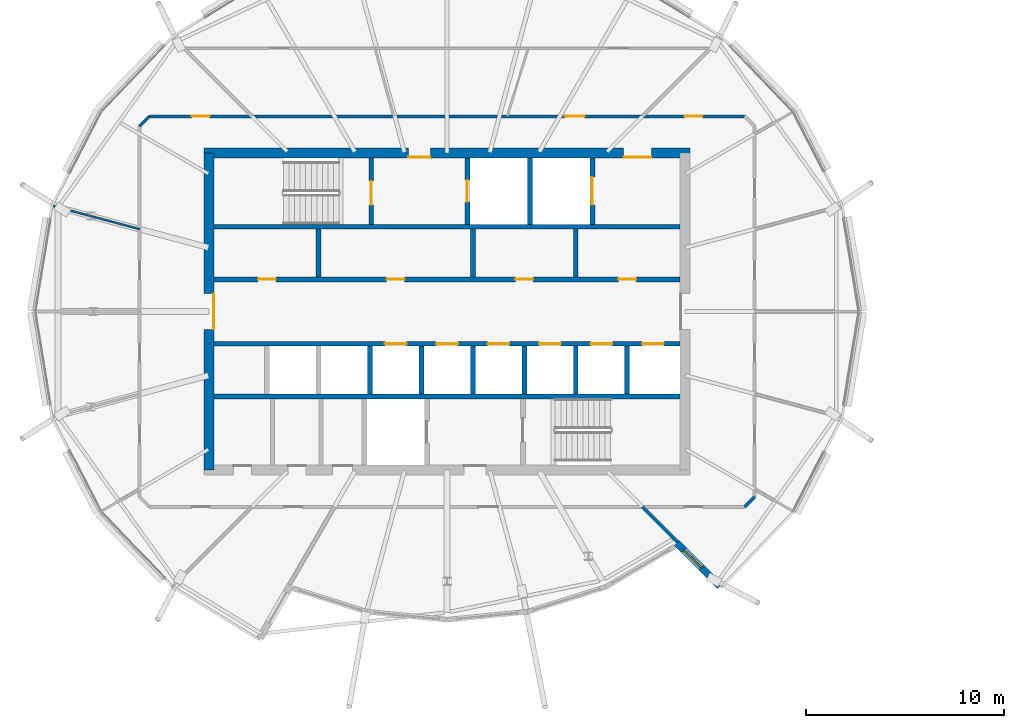
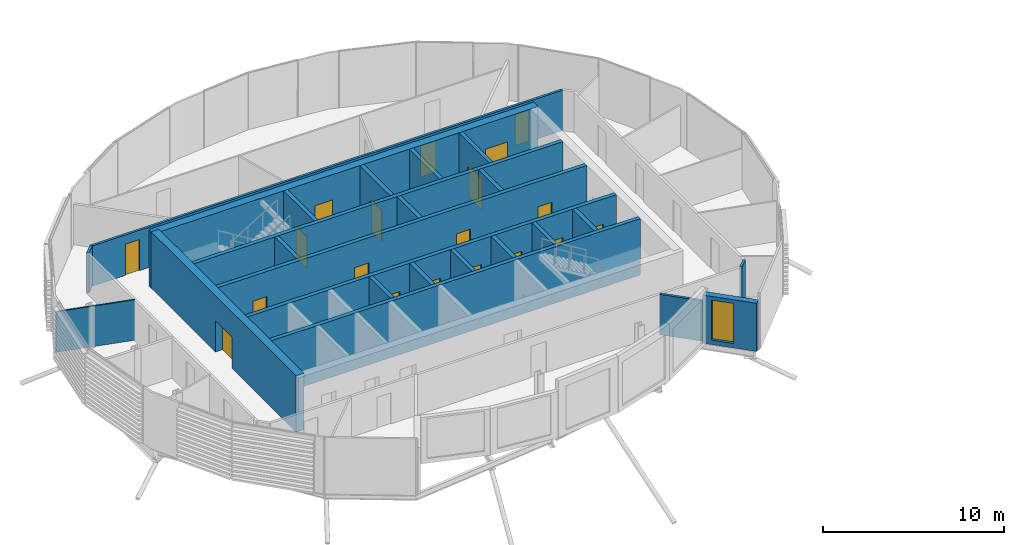
# One storey, part 17 of 35: 25 walls, 19 doors, 1 window, 20 openings.
"""IFC4 building model written with IfcOpenShell, lengths in metres."""

from ifc_helpers import new_model, si_unit, direction, frame, frame_2d, origin, place, context, subcontext, project, spatial, rectangle, extrude, material, layer, layer_set, type_object, element, fill, save


model = new_model("IFC4")

# Units and contexts
model_context = context("Model", 3, precision=1e-05, world=origin(), true_north=direction((0.0, 1.0)))
body_context = subcontext(model_context, "Body", "Model", "MODEL_VIEW")
ifc_project = project(units=[si_unit("LENGTHUNIT", "METRE"), si_unit("AREAUNIT", "SQUARE_METRE"), si_unit("VOLUMEUNIT", "CUBIC_METRE"), si_unit("PLANEANGLEUNIT", "RADIAN"), si_unit("MASSUNIT", "GRAM", prefix="KILO")], contexts=[model_context])

# Site, building, storey
site_placement = place(None, origin())
site = spatial("IfcSite", under=ifc_project, at=site_placement, CompositionType="ELEMENT")
building_placement = place(site_placement, origin())
building = spatial("IfcBuilding", under=site, at=building_placement, Name="Rimbun Link Towers", CompositionType="ELEMENT")
storey_placement = place(building_placement, frame((0.0, 0.0, 225.699951171875)))
storey = spatial("IfcBuildingStorey", under=building, at=storey_placement, Name="L55", CompositionType="ELEMENT", Elevation=225.699951171875)

# Wall, opening, window
ifc_material_1 = material(Name="Dark enamelled glass spandrel on insulated aluminium backpan", Category="aluminium")
ifc_layer_1 = layer(ifc_material_1, 0.3701171875)
ifc_layer_set_1 = layer_set([ifc_layer_1], Name="CS dark enamelled spandrel wall 370")
wall_type_1 = type_object("IfcWallType", Name="CS dark enamelled spandrel wall 370", PredefinedType="STANDARD", material=ifc_layer_set_1)
wall_1_placement = place(storey_placement, frame((-17.9951171875, -13.846923828125, 0.0), z_axis=(0.0, 0.0, 1.0), x_axis=(-0.707106781187, 0.707106781187, 0.0)))
wall_1 = element("IfcWall", 1, at=wall_1_placement, inside=storey, type_object=wall_type_1, Name="Crease spandrel wall", PredefinedType="STANDARD", context=body_context, shape_type="SweptSolid", body=[
    extrude(rectangle(XDim=3.080078125, YDim=0.3701171875, at=frame_2d((1.5400390625, 0.0))), origin(), (0.0, 0.0, 1.0), 3.24365234375),
])
opening_1_placement = place(wall_1_placement, frame((1.322265625, 0.0, 0.300048828125)))
opening_1 = element("IfcOpeningElement", 2, at=opening_1_placement, cuts=wall_1, Name="Opening WR12H270", PredefinedType="OPENING", context=body_context, shape_type="SweptSolid", body=[
    extrude(rectangle(XDim=1.25, YDim=2.699951171875, at=frame_2d((0.625, 1.35009765625))), frame((0.0, 0.195068359375, 0.0), z_axis=(0.0, -1.0, 0.0), x_axis=(1.0, 0.0, 0.0)), (0.0, 0.0, 1.0), 0.39013671875),
])
ifc_material_2 = material(Name="Aluminium framed fixed window, dark tinted low-e glass", Category="aluminium")
window_type = type_object("IfcWindowType", Name="WR ribbon window 1250X2700", PartitioningType="SINGLE_PANEL", PredefinedType="WINDOW", material=ifc_material_2)
window_placement = place(opening_1_placement, origin())
window = element("IfcWindow", 3, at=window_placement, inside=storey, type_object=window_type, Name="Crease ribbon window", OverallHeight=2.699951171875, OverallWidth=1.25, PartitioningType="SINGLE_PANEL", PredefinedType="WINDOW", context=body_context, shape_type="SweptSolid", body=[
    extrude(rectangle(XDim=1.25, YDim=2.699951171875, at=frame_2d((0.625, 1.35009765625))), frame((0.0, 0.030029296875, 0.0), z_axis=(0.0, -1.0, 0.0), x_axis=(1.0, 0.0, 0.0)), (0.0, 0.0, 1.0), 0.06005859375),
])
fill(opening_1, window)

# Wall, openings, doors
ifc_material_3 = material(Name="Concrete C60/75", Category="concrete")
ifc_layer_2 = layer(ifc_material_3, 0.5)
ifc_layer_set_2 = layer_set([ifc_layer_2], Name="Core shear wall 500")
wall_type_2 = type_object("IfcWallType", Name="Core shear wall 500", PredefinedType="SHEAR", material=ifc_layer_set_2)
wall_2_placement = place(storey_placement, frame((-44.0, 8.0, 0.0), z_axis=(0.0, 0.0, 1.0), x_axis=(1.0, 0.0, 0.0)))
wall_2 = element("IfcWall", 4, at=wall_2_placement, inside=storey, type_object=wall_type_2, Name="L55 T1 core wall N", PredefinedType="SHEAR", context=body_context, shape_type="SweptSolid", body=[
    extrude(rectangle(XDim=24.5, YDim=0.5, at=frame_2d((12.25, 0.0))), origin(), (0.0, 0.0, 1.0), 3.800048828125),
])
opening_2_placement = place(wall_2_placement, frame((10.300048828125, 0.0, 0.0)))
opening_2 = element("IfcOpeningElement", 5, at=opening_2_placement, cuts=wall_2, Name="Opening C1DCF01N", PredefinedType="OPENING", context=body_context, shape_type="SweptSolid", body=[
    extrude(rectangle(XDim=1.10009765625, YDim=2.10009765625, at=frame_2d((0.550048828125, 1.050048828125))), frame((0.0, 0.260009765625, 0.0), z_axis=(0.0, -1.0, 0.0), x_axis=(1.0, 0.0, 0.0)), (0.0, 0.0, 1.0), 0.52001953125),
])
opening_3_placement = place(wall_2_placement, frame((21.14990234375, 0.0, 0.0)))
opening_3 = element("IfcOpeningElement", 6, at=opening_3_placement, cuts=wall_2, Name="Opening C1DSL02N", PredefinedType="OPENING", context=body_context, shape_type="SweptSolid", body=[
    extrude(rectangle(XDim=1.39990234375, YDim=2.10009765625, at=frame_2d((0.699951171875, 1.050048828125))), frame((0.0, 0.260009765625, 0.0), z_axis=(0.0, -1.0, 0.0), x_axis=(1.0, 0.0, 0.0)), (0.0, 0.0, 1.0), 0.52001953125),
])
ifc_material_4 = material(Name="Steel fire door set", Category="steel")
door_type_1 = type_object("IfcDoorType", Name="Core fire door single", OperationType="SINGLE_SWING_LEFT", PredefinedType="DOOR", material=ifc_material_4)
door_1_placement = place(opening_2_placement, origin())
door_1 = element("IfcDoor", 7, at=door_1_placement, inside=storey, type_object=door_type_1, Name="L55 T1 firefighting lobby n door", OperationType="SINGLE_SWING_LEFT", OverallHeight=2.10009765625, OverallWidth=1.10009765625, PredefinedType="DOOR", context=body_context, shape_type="SweptSolid", body=[
    extrude(rectangle(XDim=1.10009765625, YDim=2.10009765625, at=frame_2d((0.550048828125, 1.050048828125))), frame((0.0, -0.2001953125, 0.0), z_axis=(0.0, -1.0, 0.0), x_axis=(1.0, 0.0, 0.0)), (0.0, 0.0, 1.0), 0.050048828125),
])
fill(opening_2, door_1)
ifc_material_5 = material(Name="Steel fire door set", Category="steel")
door_type_2 = type_object("IfcDoorType", Name="Service lobby door double", OperationType="DOUBLE_DOOR_SINGLE_SWING", PredefinedType="DOOR", material=ifc_material_5)
door_2_placement = place(opening_3_placement, origin())
door_2 = element("IfcDoor", 8, at=door_2_placement, inside=storey, type_object=door_type_2, Name="L55 T1 service lobby door", OperationType="DOUBLE_DOOR_SINGLE_SWING", OverallHeight=2.10009765625, OverallWidth=1.39990234375, PredefinedType="DOOR", context=body_context, shape_type="SweptSolid", body=[
    extrude(rectangle(XDim=1.39990234375, YDim=2.10009765625, at=frame_2d((0.699951171875, 1.050048828125))), frame((0.0, -0.2001953125, 0.0), z_axis=(0.0, -1.0, 0.0), x_axis=(1.0, 0.0, 0.0)), (0.0, 0.0, 1.0), 0.050048828125),
])
fill(opening_3, door_2)

# Wall, opening, door
wall_3_placement = place(storey_placement, frame((-43.75, -8.0, 0.0), z_axis=(0.0, 0.0, 1.0), x_axis=(0.0, 1.0, 0.0)))
wall_3 = element("IfcWall", 9, at=wall_3_placement, inside=storey, type_object=wall_type_2, Name="L55 T1 core wall W", PredefinedType="SHEAR", context=body_context, shape_type="SweptSolid", body=[
    extrude(rectangle(XDim=16.0, YDim=0.5, at=frame_2d((8.0, 0.0))), origin(), (0.0, 0.0, 1.0), 3.800048828125),
])
opening_4_placement = place(wall_3_placement, frame((7.10009765625, 0.0, 0.0)))
opening_4 = element("IfcOpeningElement", 10, at=opening_4_placement, cuts=wall_3, Name="Opening C1DCL01W", PredefinedType="OPENING", context=body_context, shape_type="SweptSolid", body=[
    extrude(rectangle(XDim=1.800048828125, YDim=2.10009765625, at=frame_2d((0.89990234375, 1.050048828125))), frame((0.0, 0.260009765625, 0.0), z_axis=(0.0, -1.0, 0.0), x_axis=(1.0, 0.0, 0.0)), (0.0, 0.0, 1.0), 0.52001953125),
])
ifc_material_6 = material(Name="Steel fire door set", Category="steel")
door_type_3 = type_object("IfcDoorType", Name="Core lobby door double", OperationType="DOUBLE_DOOR_SINGLE_SWING", PredefinedType="DOOR", material=ifc_material_6)
door_3_placement = place(opening_4_placement, origin())
door_3 = element("IfcDoor", 11, at=door_3_placement, inside=storey, type_object=door_type_3, Name="L55 T1 lift lobby door", OperationType="DOUBLE_DOOR_SINGLE_SWING", OverallHeight=2.10009765625, OverallWidth=1.800048828125, PredefinedType="DOOR", context=body_context, shape_type="SweptSolid", body=[
    extrude(rectangle(XDim=1.800048828125, YDim=2.10009765625, at=frame_2d((0.89990234375, 1.050048828125))), frame((0.0, -0.2001953125, 0.0), z_axis=(0.0, -1.0, 0.0), x_axis=(1.0, 0.0, 0.0)), (0.0, 0.0, 1.0), 0.050048828125),
])
fill(opening_4, door_3)

# Wall, openings, doors
ifc_material_7 = material(Name="Plasterboard on steel stud, mineral wool", Category="steel")
ifc_layer_3 = layer(ifc_material_7, 0.14990234375)
ifc_layer_set_3 = layer_set([ifc_layer_3], Name="Corridor wall EI 30 150 mm")
wall_type_3 = type_object("IfcWallType", Name="Corridor wall EI 30 150 mm", PredefinedType="PARTITIONING", material=ifc_layer_set_3)
wall_4_placement = place(storey_placement, frame((-46.753662109375, 9.844970703125, 0.0), z_axis=(0.0, 0.0, 1.0), x_axis=(1.0, 0.0, 0.0)))
wall_4 = element("IfcWall", 12, at=wall_4_placement, inside=storey, type_object=wall_type_3, Name="Corridor wall EI 30 150 mm", PredefinedType="PARTITIONING", context=body_context, shape_type="SweptSolid", body=[
    extrude(rectangle(XDim=30.00732421875, YDim=0.14990234375, at=frame_2d((15.003662109375, 0.0))), origin(), (0.0, 0.0, 1.0), 2.72216796875),
])
opening_5_placement = place(wall_4_placement, frame((26.97802734375, 0.0, 0.0)))
opening_5 = element("IfcOpeningElement", 13, at=opening_5_placement, cuts=wall_4, Name="Opening D02", PredefinedType="OPENING", context=body_context, shape_type="SweptSolid", body=[
    extrude(rectangle(XDim=0.89990234375, YDim=2.10009765625, at=frame_2d((0.449951171875, 1.050048828125))), frame((0.0, 0.0849609375, 0.0), z_axis=(0.0, -1.0, 0.0), x_axis=(1.0, 0.0, 0.0)), (0.0, 0.0, 1.0), 0.169921875),
])
opening_6_placement = place(wall_4_placement, frame((20.942138671875, 0.0, 0.0)))
opening_6 = element("IfcOpeningElement", 14, at=opening_6_placement, cuts=wall_4, Name="Opening D01", PredefinedType="OPENING", context=body_context, shape_type="SweptSolid", body=[
    extrude(rectangle(XDim=1.0, YDim=2.10009765625, at=frame_2d((0.5, 1.050048828125))), frame((0.0, 0.0849609375, 0.0), z_axis=(0.0, -1.0, 0.0), x_axis=(1.0, 0.0, 0.0)), (0.0, 0.0, 1.0), 0.169921875),
])
opening_7_placement = place(wall_4_placement, frame((2.12939453125, 0.0, 0.0)))
opening_7 = element("IfcOpeningElement", 15, at=opening_7_placement, cuts=wall_4, Name="Opening D02", PredefinedType="OPENING", context=body_context, shape_type="SweptSolid", body=[
    extrude(rectangle(XDim=0.89990234375, YDim=2.10009765625, at=frame_2d((0.449951171875, 1.050048828125))), frame((0.0, 0.0849609375, 0.0), z_axis=(0.0, -1.0, 0.0), x_axis=(1.0, 0.0, 0.0)), (0.0, 0.0, 1.0), 0.169921875),
])
ifc_material_8 = material(Name="Fire-resisting timber door leaf", Category="wood")
door_type_4 = type_object("IfcDoorType", Name="Fire door FD30S 1000", OperationType="NOTDEFINED", PredefinedType="DOOR", material=ifc_material_8)
door_4_placement = place(opening_6_placement, origin())
door_4 = element("IfcDoor", 16, at=door_4_placement, inside=storey, type_object=door_type_4, Name="Fire door FD30S 1000 to Reception", OperationType="SINGLE_SWING_LEFT", OverallHeight=2.10009765625, OverallWidth=1.0, PredefinedType="DOOR", context=body_context, shape_type="SweptSolid", body=[
    extrude(rectangle(XDim=1.0, YDim=2.10009765625, at=frame_2d((0.5, 1.050048828125))), frame((0.0, 0.02490234375, 0.0), z_axis=(0.0, -1.0, 0.0), x_axis=(1.0, 0.0, 0.0)), (0.0, 0.0, 1.0), 0.050048828125),
])
fill(opening_6, door_4)
ifc_material_9 = material(Name="Fire-resisting timber door leaf", Category="wood")
door_type_5 = type_object("IfcDoorType", Name="Fire door FD30S 900", OperationType="NOTDEFINED", PredefinedType="DOOR", material=ifc_material_9)
door_5_placement = place(opening_5_placement, origin())
door_5 = element("IfcDoor", 17, at=door_5_placement, inside=storey, type_object=door_type_5, Name="Fire door FD30S 900 to Executive office", OperationType="SINGLE_SWING_RIGHT", OverallHeight=2.10009765625, OverallWidth=0.89990234375, PredefinedType="DOOR", context=body_context, shape_type="SweptSolid", body=[
    extrude(rectangle(XDim=0.89990234375, YDim=2.10009765625, at=frame_2d((0.449951171875, 1.050048828125))), frame((0.0, 0.02490234375, 0.0), z_axis=(0.0, -1.0, 0.0), x_axis=(1.0, 0.0, 0.0)), (0.0, 0.0, 1.0), 0.050048828125),
])
fill(opening_5, door_5)
door_6_placement = place(opening_7_placement, origin())
door_6 = element("IfcDoor", 18, at=door_6_placement, inside=storey, type_object=door_type_5, Name="Fire door FD30S 900 to Boardroom", OperationType="SINGLE_SWING_RIGHT", OverallHeight=2.10009765625, OverallWidth=0.89990234375, PredefinedType="DOOR", context=body_context, shape_type="SweptSolid", body=[
    extrude(rectangle(XDim=0.89990234375, YDim=2.10009765625, at=frame_2d((0.449951171875, 1.050048828125))), frame((0.0, 0.02490234375, 0.0), z_axis=(0.0, -1.0, 0.0), x_axis=(1.0, 0.0, 0.0)), (0.0, 0.0, 1.0), 0.050048828125),
])
fill(opening_7, door_6)

# Walls
for number, where, z_axis, x_axis, name in (
    (19, (-16.746337890625, -9.844970703125, 0.0), (0.0, 0.0, 1.0), (0.707106781187, 0.707106781187, 0.0), "Corridor wall EI 30 150 mm"),
    (20, (-46.753662109375, 9.844970703125, 0.0), (0.0, 0.0, 1.0), (-0.707106781187, -0.707106781187, 0.0), "Corridor wall EI 30 150 mm"),
):
    element("IfcWall", number, at=place(storey_placement, frame(where, z_axis=z_axis, x_axis=x_axis)), inside=storey, type_object=wall_type_3, Name=name, PredefinedType="PARTITIONING", context=body_context, shape_type="SweptSolid", body=[
        extrude(rectangle(XDim=0.708740234375, YDim=0.14990234375, at=frame_2d((0.3544921875, 0.0))), origin(), (0.0, 0.0, 1.0), 2.72216796875),
    ])
ifc_material_10 = material(Name="Plasterboard on steel stud", Category="steel")
ifc_layer_4 = layer(ifc_material_10, 0.10009765625)
ifc_layer_set_4 = layer_set([ifc_layer_4], Name="Plasterboard partition 100 mm")
wall_type_4 = type_object("IfcWallType", Name="Plasterboard partition 100 mm", PredefinedType="PARTITIONING", material=ifc_layer_set_4)
wall_5_placement = place(storey_placement, frame((-51.6171875, 5.323486328125, 0.0), z_axis=(0.0, 0.0, 1.0), x_axis=(0.965921990313, -0.258833360735, 0.0)))
element("IfcWall", 21, at=wall_5_placement, inside=storey, type_object=wall_type_4, Name="Plasterboard partition 100 mm", PredefinedType="PARTITIONING", context=body_context, shape_type="SweptSolid", body=[
    extrude(rectangle(XDim=4.51611328125, YDim=0.10009765625, at=frame_2d((2.258056640625, 0.0))), origin(), (0.0, 0.0, 1.0), 2.72216796875),
])
ifc_material_11 = material(Name="Concrete C60/75", Category="concrete")
ifc_layer_5 = layer(ifc_material_11, 0.25)
ifc_layer_set_5 = layer_set([ifc_layer_5], Name="Shaft wall 250")
wall_type_5 = type_object("IfcWallType", Name="Shaft wall 250", PredefinedType="SHEAR", material=ifc_layer_set_5)
for number, where, z_axis, x_axis, name in (
    (22, (-43.5, 4.27490234375, 0.0), (0.0, 0.0, 1.0), (1.0, 0.0, 0.0), "L55 T1 core wall BN"),
    (23, (-43.5, -4.27490234375, 0.0), (0.0, 0.0, 1.0), (1.0, 0.0, 0.0), "L55 T1 core wall BS"),
):
    element("IfcWall", number, at=place(storey_placement, frame(where, z_axis=z_axis, x_axis=x_axis)), inside=storey, type_object=wall_type_5, Name=name, PredefinedType="SHEAR", context=body_context, shape_type="SweptSolid", body=[
        extrude(rectangle(XDim=23.5, YDim=0.25, at=frame_2d((11.75, 0.0))), origin(), (0.0, 0.0, 1.0), 3.800048828125),
    ])

# Wall, openings, doors
wall_6_placement = place(storey_placement, frame((-43.5, 1.625, 0.0), z_axis=(0.0, 0.0, 1.0), x_axis=(1.0, 0.0, 0.0)))
wall_6 = element("IfcWall", 24, at=wall_6_placement, inside=storey, type_object=wall_type_5, Name="L55 T1 core wall FN", PredefinedType="SHEAR", context=body_context, shape_type="SweptSolid", body=[
    extrude(rectangle(XDim=23.5, YDim=0.25, at=frame_2d((11.75, 0.0))), origin(), (0.0, 0.0, 1.0), 3.800048828125),
])
opening_8_placement = place(wall_6_placement, frame((2.219482421875, 0.0, 0.0)))
opening_8 = element("IfcOpeningElement", 25, at=opening_8_placement, cuts=wall_6, Name="Opening C1DRS01FN", PredefinedType="OPENING", context=body_context, shape_type="SweptSolid", body=[
    extrude(rectangle(XDim=0.89990234375, YDim=2.10009765625, at=frame_2d((0.449951171875, 1.050048828125))), frame((0.0, 0.135009765625, 0.0), z_axis=(0.0, -1.0, 0.0), x_axis=(1.0, 0.0, 0.0)), (0.0, 0.0, 1.0), 0.27001953125),
])
opening_9_placement = place(wall_6_placement, frame((8.70556640625, 0.0, 0.0)))
opening_9 = element("IfcOpeningElement", 26, at=opening_9_placement, cuts=wall_6, Name="Opening C1DRS02FN", PredefinedType="OPENING", context=body_context, shape_type="SweptSolid", body=[
    extrude(rectangle(XDim=0.89990234375, YDim=2.10009765625, at=frame_2d((0.449951171875, 1.050048828125))), frame((0.0, 0.135009765625, 0.0), z_axis=(0.0, -1.0, 0.0), x_axis=(1.0, 0.0, 0.0)), (0.0, 0.0, 1.0), 0.27001953125),
])
opening_10_placement = place(wall_6_placement, frame((15.191650390625, 0.0, 0.0)))
opening_10 = element("IfcOpeningElement", 27, at=opening_10_placement, cuts=wall_6, Name="Opening C1DRS03FN", PredefinedType="OPENING", context=body_context, shape_type="SweptSolid", body=[
    extrude(rectangle(XDim=0.89990234375, YDim=2.10009765625, at=frame_2d((0.449951171875, 1.050048828125))), frame((0.0, 0.135009765625, 0.0), z_axis=(0.0, -1.0, 0.0), x_axis=(1.0, 0.0, 0.0)), (0.0, 0.0, 1.0), 0.27001953125),
])
opening_11_placement = place(wall_6_placement, frame((20.380615234375, 0.0, 0.0)))
opening_11 = element("IfcOpeningElement", 28, at=opening_11_placement, cuts=wall_6, Name="Opening C1DRS04FN", PredefinedType="OPENING", context=body_context, shape_type="SweptSolid", body=[
    extrude(rectangle(XDim=0.89990234375, YDim=2.10009765625, at=frame_2d((0.449951171875, 1.050048828125))), frame((0.0, 0.135009765625, 0.0), z_axis=(0.0, -1.0, 0.0), x_axis=(1.0, 0.0, 0.0)), (0.0, 0.0, 1.0), 0.27001953125),
])
ifc_material_12 = material(Name="Steel fire door set", Category="steel")
door_type_6 = type_object("IfcDoorType", Name="Core riser door", OperationType="SINGLE_SWING_LEFT", PredefinedType="DOOR", material=ifc_material_12)
door_7_placement = place(opening_8_placement, origin())
door_7 = element("IfcDoor", 29, at=door_7_placement, inside=storey, type_object=door_type_6, Name="L55 T1 first aid room door", OperationType="SINGLE_SWING_RIGHT", OverallHeight=2.10009765625, OverallWidth=0.89990234375, PredefinedType="DOOR", context=body_context, shape_type="SweptSolid", body=[
    extrude(rectangle(XDim=0.89990234375, YDim=2.10009765625, at=frame_2d((0.449951171875, 1.050048828125))), frame((0.0, 0.02490234375, 0.0), z_axis=(0.0, -1.0, 0.0), x_axis=(1.0, 0.0, 0.0)), (0.0, 0.0, 1.0), 0.050048828125),
])
fill(opening_8, door_7)
door_8_placement = place(opening_9_placement, origin())
door_8 = element("IfcDoor", 30, at=door_8_placement, inside=storey, type_object=door_type_6, Name="L55 T1 plant room door", OperationType="SINGLE_SWING_LEFT", OverallHeight=2.10009765625, OverallWidth=0.89990234375, PredefinedType="DOOR", context=body_context, shape_type="SweptSolid", body=[
    extrude(rectangle(XDim=0.89990234375, YDim=2.10009765625, at=frame_2d((0.449951171875, 1.050048828125))), frame((0.0, 0.02490234375, 0.0), z_axis=(0.0, -1.0, 0.0), x_axis=(1.0, 0.0, 0.0)), (0.0, 0.0, 1.0), 0.050048828125),
])
fill(opening_9, door_8)
door_9_placement = place(opening_10_placement, origin())
door_9 = element("IfcDoor", 31, at=door_9_placement, inside=storey, type_object=door_type_6, Name="L55 T1 archive store door", OperationType="SINGLE_SWING_LEFT", OverallHeight=2.10009765625, OverallWidth=0.89990234375, PredefinedType="DOOR", context=body_context, shape_type="SweptSolid", body=[
    extrude(rectangle(XDim=0.89990234375, YDim=2.10009765625, at=frame_2d((0.449951171875, 1.050048828125))), frame((0.0, 0.02490234375, 0.0), z_axis=(0.0, -1.0, 0.0), x_axis=(1.0, 0.0, 0.0)), (0.0, 0.0, 1.0), 0.050048828125),
])
fill(opening_10, door_9)
door_10_placement = place(opening_11_placement, origin())
door_10 = element("IfcDoor", 32, at=door_10_placement, inside=storey, type_object=door_type_6, Name="L55 T1 pantry door", OperationType="SINGLE_SWING_LEFT", OverallHeight=2.10009765625, OverallWidth=0.89990234375, PredefinedType="DOOR", context=body_context, shape_type="SweptSolid", body=[
    extrude(rectangle(XDim=0.89990234375, YDim=2.10009765625, at=frame_2d((0.449951171875, 1.050048828125))), frame((0.0, 0.02490234375, 0.0), z_axis=(0.0, -1.0, 0.0), x_axis=(1.0, 0.0, 0.0)), (0.0, 0.0, 1.0), 0.050048828125),
])
fill(opening_11, door_10)

wall_7_placement = place(storey_placement, frame((-43.5, -1.625, 0.0), z_axis=(0.0, 0.0, 1.0), x_axis=(1.0, 0.0, 0.0)))
wall_7 = element("IfcWall", 33, at=wall_7_placement, inside=storey, type_object=wall_type_5, Name="L55 T1 core wall FS", PredefinedType="SHEAR", context=body_context, shape_type="SweptSolid", body=[
    extrude(rectangle(XDim=23.5, YDim=0.25, at=frame_2d((11.75, 0.0))), origin(), (0.0, 0.0, 1.0), 3.800048828125),
])
opening_12_placement = place(wall_7_placement, frame((8.605712890625, 0.0, 0.0)))
opening_12 = element("IfcOpeningElement", 34, at=opening_12_placement, cuts=wall_7, Name="Opening LD-T1-HR1", PredefinedType="OPENING", context=body_context, shape_type="SweptSolid", body=[
    extrude(rectangle(XDim=1.10009765625, YDim=2.10009765625, at=frame_2d((0.550048828125, 1.050048828125))), frame((0.0, 0.135009765625, 0.0), z_axis=(0.0, -1.0, 0.0), x_axis=(1.0, 0.0, 0.0)), (0.0, 0.0, 1.0), 0.27001953125),
])
opening_13_placement = place(wall_7_placement, frame((11.199951171875, 0.0, 0.0)))
opening_13 = element("IfcOpeningElement", 35, at=opening_13_placement, cuts=wall_7, Name="Opening LD-T1-HR2", PredefinedType="OPENING", context=body_context, shape_type="SweptSolid", body=[
    extrude(rectangle(XDim=1.10009765625, YDim=2.10009765625, at=frame_2d((0.550048828125, 1.050048828125))), frame((0.0, 0.135009765625, 0.0), z_axis=(0.0, -1.0, 0.0), x_axis=(1.0, 0.0, 0.0)), (0.0, 0.0, 1.0), 0.27001953125),
])
opening_14_placement = place(wall_7_placement, frame((13.79443359375, 0.0, 0.0)))
opening_14 = element("IfcOpeningElement", 36, at=opening_14_placement, cuts=wall_7, Name="Opening LD-T1-HR3", PredefinedType="OPENING", context=body_context, shape_type="SweptSolid", body=[
    extrude(rectangle(XDim=1.10009765625, YDim=2.10009765625, at=frame_2d((0.550048828125, 1.050048828125))), frame((0.0, 0.135009765625, 0.0), z_axis=(0.0, -1.0, 0.0), x_axis=(1.0, 0.0, 0.0)), (0.0, 0.0, 1.0), 0.27001953125),
])
opening_15_placement = place(wall_7_placement, frame((16.388916015625, 0.0, 0.0)))
opening_15 = element("IfcOpeningElement", 37, at=opening_15_placement, cuts=wall_7, Name="Opening LD-T1-HR4", PredefinedType="OPENING", context=body_context, shape_type="SweptSolid", body=[
    extrude(rectangle(XDim=1.10009765625, YDim=2.10009765625, at=frame_2d((0.550048828125, 1.050048828125))), frame((0.0, 0.135009765625, 0.0), z_axis=(0.0, -1.0, 0.0), x_axis=(1.0, 0.0, 0.0)), (0.0, 0.0, 1.0), 0.27001953125),
])
opening_16_placement = place(wall_7_placement, frame((18.9833984375, 0.0, 0.0)))
opening_16 = element("IfcOpeningElement", 38, at=opening_16_placement, cuts=wall_7, Name="Opening LD-T1-HR5", PredefinedType="OPENING", context=body_context, shape_type="SweptSolid", body=[
    extrude(rectangle(XDim=1.10009765625, YDim=2.10009765625, at=frame_2d((0.550048828125, 1.050048828125))), frame((0.0, 0.135009765625, 0.0), z_axis=(0.0, -1.0, 0.0), x_axis=(1.0, 0.0, 0.0)), (0.0, 0.0, 1.0), 0.27001953125),
])
opening_17_placement = place(wall_7_placement, frame((21.577880859375, 0.0, 0.0)))
opening_17 = element("IfcOpeningElement", 39, at=opening_17_placement, cuts=wall_7, Name="Opening LD-T1-HR6", PredefinedType="OPENING", context=body_context, shape_type="SweptSolid", body=[
    extrude(rectangle(XDim=1.10009765625, YDim=2.10009765625, at=frame_2d((0.550048828125, 1.050048828125))), frame((0.0, 0.135009765625, 0.0), z_axis=(0.0, -1.0, 0.0), x_axis=(1.0, 0.0, 0.0)), (0.0, 0.0, 1.0), 0.27001953125),
])
ifc_material_13 = material(Name="Stainless steel grade 316", Category="steel")
door_type_7 = type_object("IfcDoorType", Name="Lift landing door", OperationType="DOUBLE_DOOR_SLIDING", PredefinedType="DOOR", material=ifc_material_13)
door_11_placement = place(opening_12_placement, origin())
door_11 = element("IfcDoor", 40, at=door_11_placement, inside=storey, type_object=door_type_7, Name="L55 T1 lift HR1 landing door", OperationType="DOUBLE_DOOR_SLIDING", OverallHeight=2.10009765625, OverallWidth=1.10009765625, PredefinedType="DOOR", context=body_context, shape_type="SweptSolid", body=[
    extrude(rectangle(XDim=1.10009765625, YDim=2.10009765625, at=frame_2d((0.550048828125, 1.050048828125))), frame((0.0, 0.02490234375, 0.0), z_axis=(0.0, -1.0, 0.0), x_axis=(1.0, 0.0, 0.0)), (0.0, 0.0, 1.0), 0.050048828125),
])
fill(opening_12, door_11)
door_12_placement = place(opening_13_placement, origin())
door_12 = element("IfcDoor", 41, at=door_12_placement, inside=storey, type_object=door_type_7, Name="L55 T1 lift HR2 landing door", OperationType="DOUBLE_DOOR_SLIDING", OverallHeight=2.10009765625, OverallWidth=1.10009765625, PredefinedType="DOOR", context=body_context, shape_type="SweptSolid", body=[
    extrude(rectangle(XDim=1.10009765625, YDim=2.10009765625, at=frame_2d((0.550048828125, 1.050048828125))), frame((0.0, 0.02490234375, 0.0), z_axis=(0.0, -1.0, 0.0), x_axis=(1.0, 0.0, 0.0)), (0.0, 0.0, 1.0), 0.050048828125),
])
fill(opening_13, door_12)
door_13_placement = place(opening_14_placement, origin())
door_13 = element("IfcDoor", 42, at=door_13_placement, inside=storey, type_object=door_type_7, Name="L55 T1 lift HR3 landing door", OperationType="DOUBLE_DOOR_SLIDING", OverallHeight=2.10009765625, OverallWidth=1.10009765625, PredefinedType="DOOR", context=body_context, shape_type="SweptSolid", body=[
    extrude(rectangle(XDim=1.10009765625, YDim=2.10009765625, at=frame_2d((0.550048828125, 1.050048828125))), frame((0.0, 0.02490234375, 0.0), z_axis=(0.0, -1.0, 0.0), x_axis=(1.0, 0.0, 0.0)), (0.0, 0.0, 1.0), 0.050048828125),
])
fill(opening_14, door_13)
door_14_placement = place(opening_15_placement, origin())
door_14 = element("IfcDoor", 43, at=door_14_placement, inside=storey, type_object=door_type_7, Name="L55 T1 lift HR4 landing door", OperationType="DOUBLE_DOOR_SLIDING", OverallHeight=2.10009765625, OverallWidth=1.10009765625, PredefinedType="DOOR", context=body_context, shape_type="SweptSolid", body=[
    extrude(rectangle(XDim=1.10009765625, YDim=2.10009765625, at=frame_2d((0.550048828125, 1.050048828125))), frame((0.0, 0.02490234375, 0.0), z_axis=(0.0, -1.0, 0.0), x_axis=(1.0, 0.0, 0.0)), (0.0, 0.0, 1.0), 0.050048828125),
])
fill(opening_15, door_14)
door_15_placement = place(opening_16_placement, origin())
door_15 = element("IfcDoor", 44, at=door_15_placement, inside=storey, type_object=door_type_7, Name="L55 T1 lift HR5 landing door", OperationType="DOUBLE_DOOR_SLIDING", OverallHeight=2.10009765625, OverallWidth=1.10009765625, PredefinedType="DOOR", context=body_context, shape_type="SweptSolid", body=[
    extrude(rectangle(XDim=1.10009765625, YDim=2.10009765625, at=frame_2d((0.550048828125, 1.050048828125))), frame((0.0, 0.02490234375, 0.0), z_axis=(0.0, -1.0, 0.0), x_axis=(1.0, 0.0, 0.0)), (0.0, 0.0, 1.0), 0.050048828125),
])
fill(opening_16, door_15)
door_16_placement = place(opening_17_placement, origin())
door_16 = element("IfcDoor", 45, at=door_16_placement, inside=storey, type_object=door_type_7, Name="L55 T1 lift HR6 landing door", OperationType="DOUBLE_DOOR_SLIDING", OverallHeight=2.10009765625, OverallWidth=1.10009765625, PredefinedType="DOOR", context=body_context, shape_type="SweptSolid", body=[
    extrude(rectangle(XDim=1.10009765625, YDim=2.10009765625, at=frame_2d((0.550048828125, 1.050048828125))), frame((0.0, 0.02490234375, 0.0), z_axis=(0.0, -1.0, 0.0), x_axis=(1.0, 0.0, 0.0)), (0.0, 0.0, 1.0), 0.050048828125),
])
fill(opening_17, door_16)

# Walls
for number, where, z_axis, x_axis, name in (
    (46, (-38.236083984375, 1.75, 0.0), (0.0, 0.0, 1.0), (0.0, 1.0, 0.0), "L55 T1 core wall DN1"),
    (47, (-30.452880859375, 1.75, 0.0), (0.0, 0.0, 1.0), (0.0, 1.0, 0.0), "L55 T1 core wall DN4"),
    (48, (-25.263916015625, 1.75, 0.0), (0.0, 0.0, 1.0), (0.0, 1.0, 0.0), "L55 T1 core wall DN6"),
    (49, (-35.6416015625, -4.14990234375, 0.0), (0.0, 0.0, 1.0), (0.0, 1.0, 0.0), "L55 T1 core wall DS2"),
    (50, (-33.047119140625, -4.14990234375, 0.0), (0.0, 0.0, 1.0), (0.0, 1.0, 0.0), "L55 T1 core wall DS3"),
    (51, (-30.452880859375, -4.14990234375, 0.0), (0.0, 0.0, 1.0), (0.0, 1.0, 0.0), "L55 T1 core wall DS4"),
    (52, (-27.8583984375, -4.14990234375, 0.0), (0.0, 0.0, 1.0), (0.0, 1.0, 0.0), "L55 T1 core wall DS5"),
    (53, (-25.263916015625, -4.14990234375, 0.0), (0.0, 0.0, 1.0), (0.0, 1.0, 0.0), "L55 T1 core wall DS6"),
    (54, (-22.66943359375, -4.14990234375, 0.0), (0.0, 0.0, 1.0), (0.0, 1.0, 0.0), "L55 T1 core wall DS7"),
):
    element("IfcWall", number, at=place(storey_placement, frame(where, z_axis=z_axis, x_axis=x_axis)), inside=storey, type_object=wall_type_5, Name=name, PredefinedType="SHEAR", context=body_context, shape_type="SweptSolid", body=[
        extrude(rectangle(XDim=2.39990234375, YDim=0.25, at=frame_2d((1.199951171875, 0.0))), origin(), (0.0, 0.0, 1.0), 3.800048828125),
    ])

# Wall, opening, door
wall_8_placement = place(storey_placement, frame((-35.574951171875, 4.39990234375, 0.0), z_axis=(0.0, 0.0, 1.0), x_axis=(0.0, 1.0, 0.0)))
wall_8 = element("IfcWall", 55, at=wall_8_placement, inside=storey, type_object=wall_type_5, Name="L55 T1 core wall A1", PredefinedType="SHEAR", context=body_context, shape_type="SweptSolid", body=[
    extrude(rectangle(XDim=3.35009765625, YDim=0.25, at=frame_2d((1.675048828125, 0.0))), origin(), (0.0, 0.0, 1.0), 3.800048828125),
])
opening_18_placement = place(wall_8_placement, frame((0.97509765625, 0.0, 0.0)))
opening_18 = element("IfcOpeningElement", 56, at=opening_18_placement, cuts=wall_8, Name="Opening C1DST01A1", PredefinedType="OPENING", context=body_context, shape_type="SweptSolid", body=[
    extrude(rectangle(XDim=1.199951171875, YDim=2.10009765625, at=frame_2d((0.60009765625, 1.050048828125))), frame((0.0, 0.135009765625, 0.0), z_axis=(0.0, -1.0, 0.0), x_axis=(1.0, 0.0, 0.0)), (0.0, 0.0, 1.0), 0.27001953125),
])
ifc_material_14 = material(Name="Steel fire door set", Category="steel")
door_type_8 = type_object("IfcDoorType", Name="Stair door", OperationType="SINGLE_SWING_LEFT", PredefinedType="DOOR", material=ifc_material_14)
door_17_placement = place(opening_18_placement, origin())
door_17 = element("IfcDoor", 57, at=door_17_placement, inside=storey, type_object=door_type_8, Name="L55 T1 stair a door", OperationType="SINGLE_SWING_LEFT", OverallHeight=2.10009765625, OverallWidth=1.199951171875, PredefinedType="DOOR", context=body_context, shape_type="SweptSolid", body=[
    extrude(rectangle(XDim=1.199951171875, YDim=2.10009765625, at=frame_2d((0.60009765625, 1.050048828125))), frame((0.0, 0.02490234375, 0.0), z_axis=(0.0, -1.0, 0.0), x_axis=(1.0, 0.0, 0.0)), (0.0, 0.0, 1.0), 0.050048828125),
])
fill(opening_18, door_17)

wall_9_placement = place(storey_placement, frame((-30.72509765625, 4.39990234375, 0.0), z_axis=(0.0, 0.0, 1.0), x_axis=(0.0, 1.0, 0.0)))
wall_9 = element("IfcWall", 58, at=wall_9_placement, inside=storey, type_object=wall_type_5, Name="L55 T1 core wall A2", PredefinedType="SHEAR", context=body_context, shape_type="SweptSolid", body=[
    extrude(rectangle(XDim=3.35009765625, YDim=0.25, at=frame_2d((1.675048828125, 0.0))), origin(), (0.0, 0.0, 1.0), 3.800048828125),
])
opening_19_placement = place(wall_9_placement, frame((1.125, 0.0, 0.0)))
opening_19 = element("IfcOpeningElement", 59, at=opening_19_placement, cuts=wall_9, Name="Opening LD-T1-FF1", PredefinedType="OPENING", context=body_context, shape_type="SweptSolid", body=[
    extrude(rectangle(XDim=1.10009765625, YDim=2.10009765625, at=frame_2d((0.550048828125, 1.050048828125))), frame((0.0, 0.135009765625, 0.0), z_axis=(0.0, -1.0, 0.0), x_axis=(1.0, 0.0, 0.0)), (0.0, 0.0, 1.0), 0.27001953125),
])
door_18_placement = place(opening_19_placement, origin())
door_18 = element("IfcDoor", 60, at=door_18_placement, inside=storey, type_object=door_type_7, Name="L55 T1 lift FF1 landing door", OperationType="DOUBLE_DOOR_SLIDING", OverallHeight=2.10009765625, OverallWidth=1.10009765625, PredefinedType="DOOR", context=body_context, shape_type="SweptSolid", body=[
    extrude(rectangle(XDim=1.10009765625, YDim=2.10009765625, at=frame_2d((0.550048828125, 1.050048828125))), frame((0.0, 0.02490234375, 0.0), z_axis=(0.0, -1.0, 0.0), x_axis=(1.0, 0.0, 0.0)), (0.0, 0.0, 1.0), 0.050048828125),
])
fill(opening_19, door_18)

# Wall
wall_10_placement = place(storey_placement, frame((-27.574951171875, 4.39990234375, 0.0), z_axis=(0.0, 0.0, 1.0), x_axis=(0.0, 1.0, 0.0)))
element("IfcWall", 61, at=wall_10_placement, inside=storey, type_object=wall_type_5, Name="L55 T1 core wall A3", PredefinedType="SHEAR", context=body_context, shape_type="SweptSolid", body=[
    extrude(rectangle(XDim=3.35009765625, YDim=0.25, at=frame_2d((1.675048828125, 0.0))), origin(), (0.0, 0.0, 1.0), 3.800048828125),
])

# Wall, opening, door
wall_11_placement = place(storey_placement, frame((-24.425048828125, 4.39990234375, 0.0), z_axis=(0.0, 0.0, 1.0), x_axis=(0.0, 1.0, 0.0)))
wall_11 = element("IfcWall", 62, at=wall_11_placement, inside=storey, type_object=wall_type_5, Name="L55 T1 core wall A4", PredefinedType="SHEAR", context=body_context, shape_type="SweptSolid", body=[
    extrude(rectangle(XDim=3.35009765625, YDim=0.25, at=frame_2d((1.675048828125, 0.0))), origin(), (0.0, 0.0, 1.0), 3.800048828125),
])
opening_20_placement = place(wall_11_placement, frame((0.97509765625, 0.0, 0.0)))
opening_20 = element("IfcOpeningElement", 63, at=opening_20_placement, cuts=wall_11, Name="Opening LD-T1-GL1", PredefinedType="OPENING", context=body_context, shape_type="SweptSolid", body=[
    extrude(rectangle(XDim=1.39990234375, YDim=2.10009765625, at=frame_2d((0.699951171875, 1.050048828125))), frame((0.0, 0.135009765625, 0.0), z_axis=(0.0, -1.0, 0.0), x_axis=(1.0, 0.0, 0.0)), (0.0, 0.0, 1.0), 0.27001953125),
])
ifc_material_15 = material(Name="Stainless steel grade 316", Category="steel")
door_type_9 = type_object("IfcDoorType", Name="Goods lift landing door", OperationType="DOUBLE_DOOR_SLIDING", PredefinedType="DOOR", material=ifc_material_15)
door_19_placement = place(opening_20_placement, origin())
door_19 = element("IfcDoor", 64, at=door_19_placement, inside=storey, type_object=door_type_9, Name="L55 T1 lift GL1 landing door", OperationType="DOUBLE_DOOR_SLIDING", OverallHeight=2.10009765625, OverallWidth=1.39990234375, PredefinedType="DOOR", context=body_context, shape_type="SweptSolid", body=[
    extrude(rectangle(XDim=1.39990234375, YDim=2.10009765625, at=frame_2d((0.699951171875, 1.050048828125))), frame((0.0, 0.02490234375, 0.0), z_axis=(0.0, -1.0, 0.0), x_axis=(1.0, 0.0, 0.0)), (0.0, 0.0, 1.0), 0.050048828125),
])
fill(opening_20, door_19)

# Wall
ifc_material_16 = material(Name="Plasterboard on steel stud, mineral wool", Category="steel")
ifc_layer_6 = layer(ifc_material_16, 0.14990234375)
ifc_layer_set_6 = layer_set([ifc_layer_6], Name="Tenancy separation wall EI 60 150 mm")
wall_type_6 = type_object("IfcWallType", Name="Tenancy separation wall EI 60 150 mm", PredefinedType="PARTITIONING", material=ifc_layer_set_6)
wall_12_placement = place(storey_placement, frame((-21.905029296875, -9.844970703125, 0.0), z_axis=(0.0, 0.0, 1.0), x_axis=(0.707106781187, -0.707106781187, 0.0)))
element("IfcWall", 65, at=wall_12_placement, inside=storey, type_object=wall_type_6, Name="Tenancy separation wall EI 60 150 mm", PredefinedType="PARTITIONING", context=body_context, shape_type="SweptSolid", body=[
    extrude(rectangle(XDim=2.51416015625, YDim=0.14990234375, at=frame_2d((1.257080078125, 0.0))), origin(), (0.0, 0.0, 1.0), 2.72216796875),
])

save(model, "model.ifc")
